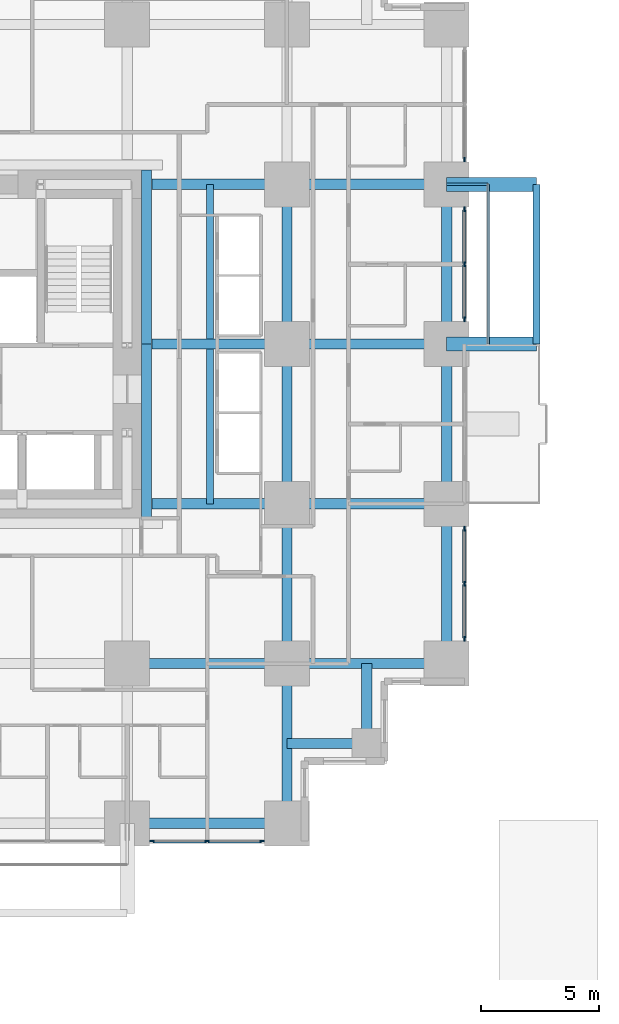
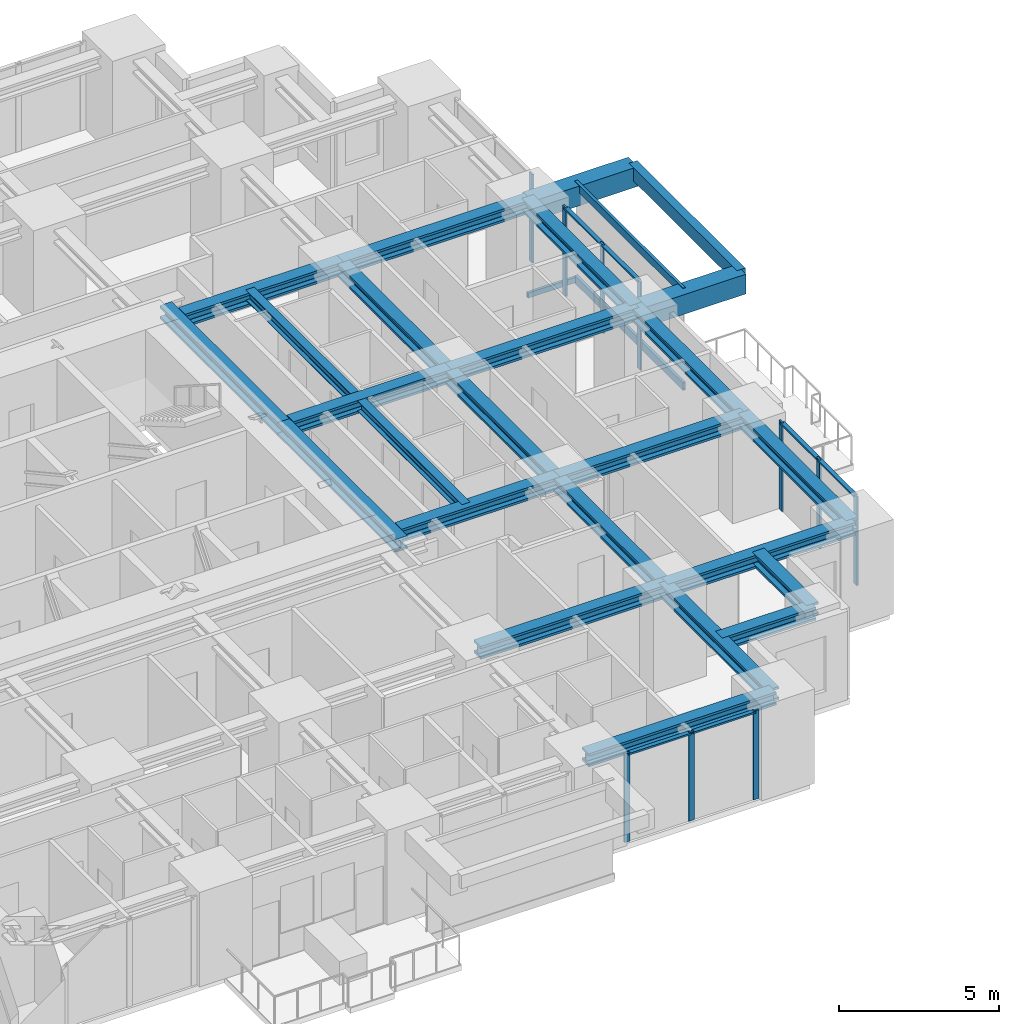
# One storey, part 4 of 14: 25 beams, 19 members, 4 elements without a shape of their own.
"""IFC4 building model written with IfcOpenShell, lengths in metres."""

import ifcopenshell
import ifcopenshell.guid

model = None  # the IFC model being written
_history = None  # IfcOwnerHistory: only IFC2X3 demands one
_inside = {}  # id of a spatial element -> (the spatial element, [elements in it])
_under = {}  # id of a project, library or spatial element -> (it, [spatial elements below it])
_declared = {}  # id of a project -> (the project, [libraries it declares])
_typed = {}  # id of a type object -> (the type object, [elements of that type])
_made_of = {}  # id of a material, layer set ... -> (it, [elements and type objects made of it])


def new_model(schema):
    """Start an empty IFC model of exactly this schema.

    Asked for "IFC4X3", IfcOpenShell would pick the latest addendum, in which some entities
    have other attributes; the version numbers below select the first issue.
    IFC2X3 requires an IfcOwnerHistory on every rooted entity: one is made here for all.
    """
    global model, _history
    if schema == "IFC4X3":
        model = ifcopenshell.file(schema_version=(4, 3, 0, 0))
    else:
        model = ifcopenshell.file(schema=schema)
    _inside.clear()
    _under.clear()
    _declared.clear()
    _typed.clear()
    _made_of.clear()
    _history = None
    if model.schema == "IFC2X3":
        org = make("IfcOrganization", Name="unknown")
        user = make(
            "IfcPersonAndOrganization",
            ThePerson=make("IfcPerson", FamilyName="unknown"),
            TheOrganization=org,
        )
        app = make(
            "IfcApplication",
            ApplicationDeveloper=org,
            Version="unknown",
            ApplicationFullName="unknown",
            ApplicationIdentifier="unknown",
        )
        _history = make(
            "IfcOwnerHistory",
            OwningUser=user,
            OwningApplication=app,
            ChangeAction="ADDED",
            CreationDate=0,
        )
    return model


def make(cls, **values):
    """One entity of the class cls with the attributes given. An attribute that is None is left unset."""
    return model.create_entity(
        cls, **{name: value for name, value in values.items() if value is not None}
    )


def rooted(cls, **values):
    """An entity with a GlobalId (a new one), such as an element, a storey or a relation."""
    return make(cls, GlobalId=ifcopenshell.guid.new(), OwnerHistory=_history, **values)


def si_unit(unit_type, name, prefix=None):
    """IfcSIUnit, for example si_unit("LENGTHUNIT", "METRE", prefix="MILLI")."""
    return make("IfcSIUnit", UnitType=unit_type, Prefix=prefix, Name=name)


def assignment(units):
    """IfcUnitAssignment: the units of a project."""
    return None if units is None else make("IfcUnitAssignment", Units=units)


def point(xyz):
    """IfcCartesianPoint."""
    return None if xyz is None else make("IfcCartesianPoint", Coordinates=xyz)


def direction(xyz):
    """IfcDirection."""
    return None if xyz is None else make("IfcDirection", DirectionRatios=xyz)


def frame(location, z_axis=None, x_axis=None):
    """IfcAxis2Placement3D, a coordinate frame: its origin and axes. An axis left out is left unset."""
    return make(
        "IfcAxis2Placement3D",
        Location=point(location),
        Axis=direction(z_axis),
        RefDirection=direction(x_axis),
    )


def frame_2d(location, x_axis=None):
    """IfcAxis2Placement2D, a coordinate frame in the plane: its origin and x axis."""
    return make(
        "IfcAxis2Placement2D", Location=point(location), RefDirection=direction(x_axis)
    )


def origin():
    """The frame at (0, 0, 0) with its axes left unset."""
    return frame((0.0, 0.0, 0.0))


def origin_2d():
    """The frame at (0, 0) in the plane with its x axis left unset."""
    return frame_2d((0.0, 0.0))


def place(relative_to, where):
    """IfcLocalPlacement: puts the frame where relative to a parent placement (None: the world)."""
    return make(
        "IfcLocalPlacement", PlacementRelTo=relative_to, RelativePlacement=where
    )


def context(
    kind, dimensions, precision=None, world=None, true_north=None, identifier=None
):
    """IfcGeometricRepresentationContext, for example the 3D "Model" context."""
    return make(
        "IfcGeometricRepresentationContext",
        ContextIdentifier=identifier,
        ContextType=kind,
        CoordinateSpaceDimension=dimensions,
        Precision=precision,
        WorldCoordinateSystem=world,
        TrueNorth=true_north,
    )


def subcontext(parent, identifier, kind, view, scale=None):
    """IfcGeometricRepresentationSubContext, for example "Body" below "Model"."""
    return make(
        "IfcGeometricRepresentationSubContext",
        ContextIdentifier=identifier,
        ContextType=kind,
        ParentContext=parent,
        TargetScale=scale,
        TargetView=view,
    )


def project(units=None, contexts=None):
    """IfcProject with its units and contexts."""
    return rooted(
        "IfcProject",
        Name="project",
        RepresentationContexts=contexts,
        UnitsInContext=assignment(units),
    )


def spatial(cls, under=None, at=None, **own):
    """A site, building, storey or space (cls), placed at a placement, below another one or the project."""
    s = rooted(cls, ObjectPlacement=at, **own)
    if under is not None:
        _under.setdefault(under.id(), (under, []))[1].append(s)
    return s


def profile(cls, at=None, kind="AREA", **sizes):
    """A parametric profile (cls). Its sizes go by their IFC names, for example OverallWidth=200.0."""
    return make(cls, ProfileType=kind, Position=at, **sizes)


def rectangle(**sizes):
    """IfcRectangleProfileDef."""
    return profile("IfcRectangleProfileDef", **sizes)


def hollow_rectangle(**sizes):
    """IfcRectangleHollowProfileDef."""
    return profile("IfcRectangleHollowProfileDef", **sizes)


def i_section(**sizes):
    """IfcIShapeProfileDef."""
    return profile("IfcIShapeProfileDef", **sizes)


def extrude(swept, where, along, depth):
    """IfcExtrudedAreaSolid: the profile swept, set in the frame where, extruded along a direction by depth."""
    return make(
        "IfcExtrudedAreaSolid",
        SweptArea=swept,
        Position=where,
        ExtrudedDirection=direction(along),
        Depth=depth,
    )


def shape(context_of_items, identifier, shape_type, items):
    """IfcShapeRepresentation: the items that make up one representation, for example the "Body"."""
    return make(
        "IfcShapeRepresentation",
        ContextOfItems=context_of_items,
        RepresentationIdentifier=identifier,
        RepresentationType=shape_type,
        Items=items,
    )


def material(Name=None, Category=None):
    """IfcMaterial."""
    return make("IfcMaterial", Name=Name, Category=Category)


def material_profile(
    of_material, cross_section, Name=None, Category=None, Priority=None
):
    """IfcMaterialProfile: a cross section and its material."""
    return make(
        "IfcMaterialProfile",
        Name=Name,
        Material=of_material,
        Profile=cross_section,
        Priority=Priority,
        Category=Category,
    )


def profile_set(profiles, Name=None, composite=None):
    """IfcMaterialProfileSet."""
    return make(
        "IfcMaterialProfileSet",
        Name=Name,
        MaterialProfiles=profiles,
        CompositeProfile=composite,
    )


def made_of(thing, what):
    """Note that an element or type object is made of a material, layer set ...; save() writes the relation."""
    if what is not None:
        _made_of.setdefault(what.id(), (what, []))[1].append(thing)
    return thing


def type_object(cls, material=None, **own):
    """A type object (cls), such as IfcWallType, which elements share."""
    return made_of(rooted(cls, **own), material)


def element(
    cls,
    number,
    at=None,
    inside=None,
    cuts=None,
    type_object=None,
    material=None,
    context=None,
    identifier="Body",
    shape_type=None,
    held_by="IfcProductDefinitionShape",
    body=None,
    shapes=None,
    **own,
):
    """One element of the class cls, such as IfcWall. Its Tag is "e" and its number.

    at: its placement. inside: the storey or other place that contains it. cuts: it is an
    opening in that element (IfcRelVoidsElement). A single representation is given by context,
    identifier, shape_type and body (its items); several are given by shapes. held_by: the class
    of the entity that holds the representations. save() writes the other relations.
    """
    e = rooted(cls, Tag="e%d" % number, ObjectPlacement=at, **own)
    if body is not None:
        shapes = [shape(context, identifier, shape_type, body)]
    if shapes is not None:
        e.Representation = make(held_by, Representations=shapes)
    if inside is not None:
        _inside.setdefault(inside.id(), (inside, []))[1].append(e)
    if cuts is not None:
        rooted(
            "IfcRelVoidsElement", RelatingBuildingElement=cuts, RelatedOpeningElement=e
        )
    if type_object is not None:
        _typed.setdefault(type_object.id(), (type_object, []))[1].append(e)
    return made_of(e, material)


def aggregate(whole, parts):
    """IfcRelAggregates: a whole, such as a stair, and the parts it consists of."""
    return rooted("IfcRelAggregates", RelatingObject=whole, RelatedObjects=parts)


def save(model, path):
    """Write the relations noted so far, then the file.

    IfcRelAggregates (storeys below a building ...), IfcRelContainedInSpatialStructure (elements
    in a storey), IfcRelDefinesByType, IfcRelAssociatesMaterial and IfcRelDeclares: one each for
    every whole, place, type object, material and project.
    """
    for whole, parts in _under.values():
        aggregate(whole, parts)
    for where, things in _inside.values():
        rooted(
            "IfcRelContainedInSpatialStructure",
            RelatedElements=things,
            RelatingStructure=where,
        )
    for kind, things in _typed.values():
        rooted("IfcRelDefinesByType", RelatedObjects=things, RelatingType=kind)
    for what, things in _made_of.values():
        rooted("IfcRelAssociatesMaterial", RelatedObjects=things, RelatingMaterial=what)
    for by, libraries in _declared.values():
        rooted("IfcRelDeclares", RelatingContext=by, RelatedDefinitions=libraries)
    model.write(path)


model = new_model("IFC4")

# Units and contexts
model_context = context("Model", 3, precision=1e-05, world=origin(), true_north=direction((0.0, 1.0)))
body_context = subcontext(model_context, "Body", "Model", "MODEL_VIEW")
ifc_project = project(units=[si_unit("LENGTHUNIT", "METRE"), si_unit("AREAUNIT", "SQUARE_METRE"), si_unit("VOLUMEUNIT", "CUBIC_METRE"), si_unit("PLANEANGLEUNIT", "RADIAN"), si_unit("MASSUNIT", "GRAM", prefix="KILO")], contexts=[model_context])

# Site, building, storey
site_placement = place(None, origin())
site = spatial("IfcSite", under=ifc_project, at=site_placement, CompositionType="ELEMENT")
building_placement = place(site_placement, origin())
building = spatial("IfcBuilding", under=site, at=building_placement, Name="Nyansa Garden Tower", CompositionType="ELEMENT")
storey_placement = place(building_placement, frame((0.0, 0.0, 18.0)))
storey = spatial("IfcBuildingStorey", under=building, at=storey_placement, Name="L04", CompositionType="ELEMENT", Elevation=18.0)

# Beams
ifc_material_1 = material(Name="Concrete C70/85", Category="concrete")
ifc_material_profile_1 = material_profile(ifc_material_1, rectangle(XDim=0.60009765625, YDim=0.75, at=origin_2d()), Name="RC 600x750")
ifc_profile_set_1 = profile_set([ifc_material_profile_1], Name="Concrete C70/85")
beam_type_1 = type_object("IfcBeamType", Name="Balcony cantilever beam CB1 RC 600x750", PredefinedType="BEAM", material=ifc_profile_set_1)
for number, where, z_axis, x_axis, name in (
    (1, (40.5, 20.25, 2.985107421875), (1.0, 0.0, 0.0), (0.0, 1.0, 0.0), "Balcony cantilever beam L05"),
    (2, (40.5, 27.0, 2.985107421875), (1.0, 0.0, 0.0), (0.0, 1.0, 0.0), "Balcony cantilever beam L05"),
):
    element("IfcBeam", number, at=place(storey_placement, frame(where, z_axis=z_axis, x_axis=x_axis)), inside=storey, type_object=beam_type_1, Name=name, PredefinedType="BEAM", context=body_context, shape_type="SweptSolid", body=[
        extrude(rectangle(XDim=0.60009765625, YDim=0.75, at=origin_2d()), origin(), (0.0, 0.0, 1.0), 3.800048828125),
    ])
ifc_material_2 = material(Name="Concrete C70/85", Category="concrete")
ifc_material_profile_2 = material_profile(ifc_material_2, rectangle(XDim=0.300048828125, YDim=0.5, at=origin_2d()), Name="RC 300x500")
ifc_profile_set_2 = profile_set([ifc_material_profile_2], Name="Concrete C70/85")
beam_type_2 = type_object("IfcBeamType", Name="Balcony edge beam BE1 RC 300x500", PredefinedType="BEAM", material=ifc_profile_set_2)
beam_1_placement = place(storey_placement, frame((44.300048828125, 20.25, 3.110107421875), z_axis=(0.0, 1.0, 0.0), x_axis=(-1.0, 0.0, 0.0)))
element("IfcBeam", 3, at=beam_1_placement, inside=storey, type_object=beam_type_2, Name="Balcony edge beam L05", PredefinedType="BEAM", context=body_context, shape_type="SweptSolid", body=[
    extrude(rectangle(XDim=0.300048828125, YDim=0.5, at=origin_2d()), origin(), (0.0, 0.0, 1.0), 6.75),
])

# Curtain wall, members
ifc_material_3 = material(Name="Black anodised aluminium, dark tinted double glazing", Category="aluminium")
curtain_wall_type = type_object("IfcCurtainWallType", Name="Inner skin curtain wall ISW-A", PredefinedType="USERDEFINED", material=ifc_material_3)
curtain_wall_1_placement = place(storey_placement, origin())
curtain_wall_1 = element("IfcCurtainWall", 4, at=curtain_wall_1_placement, inside=storey, type_object=curtain_wall_type, Name="Inner skin curtain wall L04 E", ObjectType="UNITISED CURTAIN WALL", PredefinedType="USERDEFINED")
ifc_material_4 = material(Name="Black anodised aluminium", Category="aluminium")
ifc_material_profile_3 = material_profile(ifc_material_4, rectangle(XDim=0.06494140625, YDim=0.199951171875, at=origin_2d()), Name="Mullion 200x65")
ifc_profile_set_3 = profile_set([ifc_material_profile_3], Name="Black anodised aluminium")
member_type_1 = type_object("IfcMemberType", Name="Mullion ISW-A 200x65", PredefinedType="MULLION", material=ifc_profile_set_3)
member_1_placement = place(storey_placement, frame((41.25, 7.800048828125, 0.0), z_axis=(0.0, 0.0, 1.0), x_axis=(-1.0, 0.0, 0.0)))
member_1 = element("IfcMember", 5, at=member_1_placement, type_object=member_type_1, Name="ISW-A mullion 1", PredefinedType="MULLION", context=body_context, shape_type="SweptSolid", body=[
    extrude(rectangle(XDim=0.06494140625, YDim=0.199951171875, at=origin_2d()), origin(), (0.0, 0.0, 1.0), 3.375),
])
member_2_placement = place(storey_placement, frame((41.25, 10.125, 0.0), z_axis=(0.0, 0.0, 1.0), x_axis=(-1.0, 0.0, 0.0)))
member_2 = element("IfcMember", 6, at=member_2_placement, type_object=member_type_1, Name="ISW-A mullion 2", PredefinedType="MULLION", context=body_context, shape_type="SweptSolid", body=[
    extrude(rectangle(XDim=0.06494140625, YDim=0.199951171875, at=origin_2d()), origin(), (0.0, 0.0, 1.0), 3.375),
])
member_3_placement = place(storey_placement, frame((41.25, 12.449951171875, 0.0), z_axis=(0.0, 0.0, 1.0), x_axis=(-1.0, 0.0, 0.0)))
member_3 = element("IfcMember", 7, at=member_3_placement, type_object=member_type_1, Name="ISW-A mullion 3", PredefinedType="MULLION", context=body_context, shape_type="SweptSolid", body=[
    extrude(rectangle(XDim=0.06494140625, YDim=0.199951171875, at=origin_2d()), origin(), (0.0, 0.0, 1.0), 3.375),
])

curtain_wall_2_placement = place(storey_placement, origin())
curtain_wall_2 = element("IfcCurtainWall", 8, at=curtain_wall_2_placement, inside=storey, type_object=curtain_wall_type, Name="Inner skin curtain wall L04 E", ObjectType="UNITISED CURTAIN WALL", PredefinedType="USERDEFINED")
member_4_placement = place(storey_placement, frame((41.25, 21.300048828125, 0.0), z_axis=(0.0, 0.0, 1.0), x_axis=(-1.0, 0.0, 0.0)))
member_4 = element("IfcMember", 9, at=member_4_placement, type_object=member_type_1, Name="ISW-A mullion 1", PredefinedType="MULLION", context=body_context, shape_type="SweptSolid", body=[
    extrude(rectangle(XDim=0.06494140625, YDim=0.199951171875, at=origin_2d()), origin(), (0.0, 0.0, 1.0), 3.375),
])
member_5_placement = place(storey_placement, frame((41.25, 23.625, 0.0), z_axis=(0.0, 0.0, 1.0), x_axis=(-1.0, 0.0, 0.0)))
member_5 = element("IfcMember", 10, at=member_5_placement, type_object=member_type_1, Name="ISW-A mullion 2", PredefinedType="MULLION", context=body_context, shape_type="SweptSolid", body=[
    extrude(rectangle(XDim=0.06494140625, YDim=0.199951171875, at=origin_2d()), origin(), (0.0, 0.0, 1.0), 3.375),
])
member_6_placement = place(storey_placement, frame((41.25, 25.949951171875, 0.0), z_axis=(0.0, 0.0, 1.0), x_axis=(-1.0, 0.0, 0.0)))
member_6 = element("IfcMember", 11, at=member_6_placement, type_object=member_type_1, Name="ISW-A mullion 3", PredefinedType="MULLION", context=body_context, shape_type="SweptSolid", body=[
    extrude(rectangle(XDim=0.06494140625, YDim=0.199951171875, at=origin_2d()), origin(), (0.0, 0.0, 1.0), 3.375),
])

# Curtain wall, member
curtain_wall_3_placement = place(storey_placement, origin())
curtain_wall_3 = element("IfcCurtainWall", 12, at=curtain_wall_3_placement, inside=storey, type_object=curtain_wall_type, Name="Inner skin curtain wall L04 E", ObjectType="UNITISED CURTAIN WALL", PredefinedType="USERDEFINED")
member_7_placement = place(storey_placement, frame((41.25, 28.050048828125, 0.0), z_axis=(0.0, 0.0, 1.0), x_axis=(-1.0, 0.0, 0.0)))
member_7 = element("IfcMember", 13, at=member_7_placement, type_object=member_type_1, Name="ISW-A mullion 1", PredefinedType="MULLION", context=body_context, shape_type="SweptSolid", body=[
    extrude(rectangle(XDim=0.06494140625, YDim=0.199951171875, at=origin_2d()), origin(), (0.0, 0.0, 1.0), 3.375),
])
aggregate(curtain_wall_3, [member_7])

# Curtain wall, members
curtain_wall_4_placement = place(storey_placement, origin())
curtain_wall_4 = element("IfcCurtainWall", 14, at=curtain_wall_4_placement, inside=storey, type_object=curtain_wall_type, Name="Inner skin curtain wall L04 S", ObjectType="UNITISED CURTAIN WALL", PredefinedType="USERDEFINED")
member_8_placement = place(storey_placement, frame((28.050048828125, -0.75, 0.0), z_axis=(0.0, 0.0, 1.0), x_axis=(0.0, 1.0, 0.0)))
member_8 = element("IfcMember", 15, at=member_8_placement, type_object=member_type_1, Name="ISW-A mullion 1", PredefinedType="MULLION", context=body_context, shape_type="SweptSolid", body=[
    extrude(rectangle(XDim=0.06494140625, YDim=0.199951171875, at=origin_2d()), origin(), (0.0, 0.0, 1.0), 3.375),
])
member_9_placement = place(storey_placement, frame((30.375, -0.75, 0.0), z_axis=(0.0, 0.0, 1.0), x_axis=(0.0, 1.0, 0.0)))
member_9 = element("IfcMember", 16, at=member_9_placement, type_object=member_type_1, Name="ISW-A mullion 2", PredefinedType="MULLION", context=body_context, shape_type="SweptSolid", body=[
    extrude(rectangle(XDim=0.06494140625, YDim=0.199951171875, at=origin_2d()), origin(), (0.0, 0.0, 1.0), 3.375),
])
member_10_placement = place(storey_placement, frame((32.699951171875, -0.75, 0.0), z_axis=(0.0, 0.0, 1.0), x_axis=(0.0, 1.0, 0.0)))
member_10 = element("IfcMember", 17, at=member_10_placement, type_object=member_type_1, Name="ISW-A mullion 3", PredefinedType="MULLION", context=body_context, shape_type="SweptSolid", body=[
    extrude(rectangle(XDim=0.06494140625, YDim=0.199951171875, at=origin_2d()), origin(), (0.0, 0.0, 1.0), 3.375),
])

# Members
ifc_material_5 = material(Name="Steel S355, black powder coated", Category="steel")
ifc_material_profile_4 = material_profile(ifc_material_5, hollow_rectangle(XDim=0.10009765625, YDim=0.199951171875, WallThickness=0.008056640625, at=origin_2d()), Name="RHS 200x100x8")
ifc_profile_set_4 = profile_set([ifc_material_profile_4], Name="Steel S355, black powder coated")
member_type_2 = type_object("IfcMemberType", Name="Outer skin bracket arm RHS 200x100x8", PredefinedType="USERDEFINED", material=ifc_profile_set_4)
member_11_placement = place(storey_placement, frame((40.5, 27.0, -0.375), z_axis=(1.0, 0.0, 0.0), x_axis=(0.0, 1.0, 0.0)))
element("IfcMember", 18, at=member_11_placement, inside=storey, type_object=member_type_2, Name="Outer skin bracket arm", ObjectType="OUTER SKIN BRACKET", PredefinedType="USERDEFINED", context=body_context, shape_type="SweptSolid", body=[
    extrude(hollow_rectangle(XDim=0.10009765625, YDim=0.199951171875, WallThickness=0.008056640625, at=origin_2d()), origin(), (0.0, 0.0, 1.0), 1.75),
])
ifc_material_6 = material(Name="Steel S355, black powder coated", Category="steel")
ifc_material_profile_5 = material_profile(ifc_material_6, hollow_rectangle(XDim=0.10009765625, YDim=0.300048828125, WallThickness=0.010009765625, at=origin_2d()), Name="RHS 300x100x10")
ifc_profile_set_5 = profile_set([ifc_material_profile_5], Name="Steel S355, black powder coated")
member_type_3 = type_object("IfcMemberType", Name="Outer skin rail RHS 300x100x10", PredefinedType="USERDEFINED", material=ifc_profile_set_5)
for number, where, z_axis, x_axis, name in (
    (19, (42.25, 20.25, -0.375), (0.0, 1.0, 0.0), (-1.0, 0.0, 0.0), "Outer skin rail L04"),
    (20, (42.25, 20.25, 3.22509765625), (0.0, 1.0, 0.0), (-1.0, 0.0, 0.0), "Outer skin rail L04 head"),
):
    element("IfcMember", number, at=place(storey_placement, frame(where, z_axis=z_axis, x_axis=x_axis)), inside=storey, type_object=member_type_3, Name=name, ObjectType="OUTER SKIN RAIL", PredefinedType="USERDEFINED", context=body_context, shape_type="SweptSolid", body=[
        extrude(hollow_rectangle(XDim=0.10009765625, YDim=0.300048828125, WallThickness=0.010009765625, at=origin_2d()), origin(), (0.0, 0.0, 1.0), 6.75),
    ])

# Beams
ifc_material_7 = material(Name="Steel S355", Category="steel")
ifc_material_profile_6 = material_profile(ifc_material_7, i_section(OverallWidth=0.431884765625, OverallDepth=0.498046875, WebThickness=0.0556640625, FlangeThickness=0.0888671875, FilletRadius=0.014892578125, at=origin_2d()), Name="HD 400x744")
ifc_profile_set_6 = profile_set([ifc_material_profile_6], Name="Steel S355")
beam_type_3 = type_object("IfcBeamType", Name="Steel beam SBA1-744 HD 400x744", PredefinedType="BEAM", material=ifc_profile_set_6)
beam_2_placement = place(storey_placement, frame((27.0, 6.75, 3.1259765625), z_axis=(1.0, 0.0, 0.0), x_axis=(0.0, 1.0, 0.0)))
element("IfcBeam", 21, at=beam_2_placement, inside=storey, type_object=beam_type_3, Name="Steel beam 6/E-7/E L05", PredefinedType="BEAM", context=body_context, shape_type="SweptSolid", body=[
    extrude(i_section(OverallWidth=0.431884765625, OverallDepth=0.498046875, WebThickness=0.0556640625, FlangeThickness=0.0888671875, FilletRadius=0.014892578125, at=origin_2d()), origin(), (0.0, 0.0, 1.0), 6.75),
])
for number, where, z_axis, x_axis, name in (
    (22, (28.050048828125, 13.5, 3.1259765625), (1.0, 0.0, 0.0), (0.0, 1.0, 0.0), "Steel beam 28.050/F-7/F L05"),
    (23, (28.050048828125, 20.25, 3.1259765625), (1.0, 0.0, 0.0), (0.0, 1.0, 0.0), "Steel beam 28.050/G-7/G L05"),
    (24, (28.050048828125, 27.0, 3.1259765625), (1.0, 0.0, 0.0), (0.0, 1.0, 0.0), "Steel beam 28.050/H-7/H L05"),
):
    element("IfcBeam", number, at=place(storey_placement, frame(where, z_axis=z_axis, x_axis=x_axis)), inside=storey, type_object=beam_type_3, Name=name, PredefinedType="BEAM", context=body_context, shape_type="SweptSolid", body=[
        extrude(i_section(OverallWidth=0.431884765625, OverallDepth=0.498046875, WebThickness=0.0556640625, FlangeThickness=0.0888671875, FilletRadius=0.014892578125, at=origin_2d()), origin(), (0.0, 0.0, 1.0), 5.699951171875),
    ])
for number, where, z_axis, x_axis, name in (
    (25, (33.75, 0.0, 3.1259765625), (0.0, 1.0, 0.0), (-1.0, 0.0, 0.0), "Steel beam 7/D-7/E L05"),
    (26, (33.75, 6.75, 3.1259765625), (0.0, 1.0, 0.0), (-1.0, 0.0, 0.0), "Steel beam 7/E-7/F L05"),
    (27, (33.75, 6.75, 3.1259765625), (1.0, 0.0, 0.0), (0.0, 1.0, 0.0), "Steel beam 7/E-8/E L05"),
    (28, (33.75, 13.5, 3.1259765625), (0.0, 1.0, 0.0), (-1.0, 0.0, 0.0), "Steel beam 7/F-7/G L05"),
    (29, (33.75, 13.5, 3.1259765625), (1.0, 0.0, 0.0), (0.0, 1.0, 0.0), "Steel beam 7/F-8/F L05"),
    (30, (33.75, 20.25, 3.1259765625), (0.0, 1.0, 0.0), (-1.0, 0.0, 0.0), "Steel beam 7/G-7/H L05"),
    (31, (33.75, 20.25, 3.1259765625), (1.0, 0.0, 0.0), (0.0, 1.0, 0.0), "Steel beam 7/G-8/G L05"),
    (32, (33.75, 27.0, 3.1259765625), (1.0, 0.0, 0.0), (0.0, 1.0, 0.0), "Steel beam 7/H-8/H L05"),
):
    element("IfcBeam", number, at=place(storey_placement, frame(where, z_axis=z_axis, x_axis=x_axis)), inside=storey, type_object=beam_type_3, Name=name, PredefinedType="BEAM", context=body_context, shape_type="SweptSolid", body=[
        extrude(i_section(OverallWidth=0.431884765625, OverallDepth=0.498046875, WebThickness=0.0556640625, FlangeThickness=0.0888671875, FilletRadius=0.014892578125, at=origin_2d()), origin(), (0.0, 0.0, 1.0), 6.75),
    ])
ifc_material_8 = material(Name="Steel S355", Category="steel")
ifc_material_profile_7 = material_profile(ifc_material_8, i_section(OverallWidth=0.431884765625, OverallDepth=0.498046875, WebThickness=0.0556640625, FlangeThickness=0.0888671875, FilletRadius=0.014892578125, at=origin_2d()), Name="HD 400x744")
ifc_profile_set_7 = profile_set([ifc_material_profile_7], Name="Steel S355")
beam_type_4 = type_object("IfcBeamType", Name="Steel beam SEBA-744 HD 400x744", PredefinedType="BEAM", material=ifc_profile_set_7)
for number, where, z_axis, x_axis, name in (
    (33, (27.0, 0.0, 3.1259765625), (1.0, 0.0, 0.0), (0.0, 1.0, 0.0), "Steel edge beam 6/D-7/D L05"),
    (34, (40.5, 6.75, 3.1259765625), (0.0, 1.0, 0.0), (-1.0, 0.0, 0.0), "Steel edge beam 8/E-8/F L05"),
    (35, (40.5, 13.5, 3.1259765625), (0.0, 1.0, 0.0), (-1.0, 0.0, 0.0), "Steel edge beam 8/F-8/G L05"),
    (36, (40.5, 20.25, 3.1259765625), (0.0, 1.0, 0.0), (-1.0, 0.0, 0.0), "Steel edge beam 8/G-8/H L05"),
):
    element("IfcBeam", number, at=place(storey_placement, frame(where, z_axis=z_axis, x_axis=x_axis)), inside=storey, type_object=beam_type_4, Name=name, PredefinedType="BEAM", context=body_context, shape_type="SweptSolid", body=[
        extrude(i_section(OverallWidth=0.431884765625, OverallDepth=0.498046875, WebThickness=0.0556640625, FlangeThickness=0.0888671875, FilletRadius=0.014892578125, at=origin_2d()), origin(), (0.0, 0.0, 1.0), 6.75),
    ])
ifc_material_9 = material(Name="Steel S355", Category="steel")
ifc_material_profile_8 = material_profile(ifc_material_9, i_section(OverallWidth=0.431884765625, OverallDepth=0.498046875, WebThickness=0.0556640625, FlangeThickness=0.0888671875, FilletRadius=0.014892578125, at=origin_2d()), Name="HD 400x744")
ifc_profile_set_8 = profile_set([ifc_material_profile_8], Name="Steel S355")
beam_type_5 = type_object("IfcBeamType", Name="Steel beam SLB1-744 HD 400x744", PredefinedType="BEAM", material=ifc_profile_set_8)
for number, where, z_axis, x_axis, name in (
    (37, (27.81591796875, 12.89990234375, 3.1259765625), (0.0, 1.0, 0.0), (-1.0, 0.0, 0.0), "Steel core ledger beam E.1 L05"),
    (38, (27.81591796875, 20.25, 3.1259765625), (0.0, 1.0, 0.0), (-1.0, 0.0, 0.0), "Steel core ledger beam E.2 L05"),
):
    element("IfcBeam", number, at=place(storey_placement, frame(where, z_axis=z_axis, x_axis=x_axis)), inside=storey, type_object=beam_type_5, Name=name, PredefinedType="BEAM", context=body_context, shape_type="SweptSolid", body=[
        extrude(i_section(OverallWidth=0.431884765625, OverallDepth=0.498046875, WebThickness=0.0556640625, FlangeThickness=0.0888671875, FilletRadius=0.014892578125, at=origin_2d()), origin(), (0.0, 0.0, 1.0), 7.35009765625),
    ])
ifc_material_10 = material(Name="Steel S355", Category="steel")
ifc_material_profile_9 = material_profile(ifc_material_10, i_section(OverallWidth=0.431884765625, OverallDepth=0.498046875, WebThickness=0.0556640625, FlangeThickness=0.0888671875, FilletRadius=0.014892578125, at=origin_2d()), Name="HD 400x744")
ifc_profile_set_9 = profile_set([ifc_material_profile_9], Name="Steel S355")
beam_type_6 = type_object("IfcBeamType", Name="Steel beam SSB1-744 HD 400x744", PredefinedType="BEAM", material=ifc_profile_set_9)
for number, where, z_axis, x_axis, name in (
    (39, (37.125, 3.375, 3.1259765625), (0.0, 1.0, 0.0), (-1.0, 0.0, 0.0), "Steel step beam 37.125/3.375 L05"),
    (40, (37.125, 3.375, 3.1259765625), (-1.0, 0.0, 0.0), (0.0, -1.0, 0.0), "Steel step beam 37.125/3.375 L05"),
):
    element("IfcBeam", number, at=place(storey_placement, frame(where, z_axis=z_axis, x_axis=x_axis)), inside=storey, type_object=beam_type_6, Name=name, PredefinedType="BEAM", context=body_context, shape_type="SweptSolid", body=[
        extrude(i_section(OverallWidth=0.431884765625, OverallDepth=0.498046875, WebThickness=0.0556640625, FlangeThickness=0.0888671875, FilletRadius=0.014892578125, at=origin_2d()), origin(), (0.0, 0.0, 1.0), 3.375),
    ])

# Member
ifc_material_11 = material(Name="Black anodised aluminium", Category="aluminium")
ifc_material_profile_10 = material_profile(ifc_material_11, rectangle(XDim=0.14990234375, YDim=0.06494140625, at=origin_2d()), Name="Transom 150x65")
ifc_profile_set_10 = profile_set([ifc_material_profile_10], Name="Black anodised aluminium")
member_type_4 = type_object("IfcMemberType", Name="Transom ISW-A 150x65", PredefinedType="USERDEFINED", material=ifc_profile_set_10)
member_12_placement = place(storey_placement, frame((41.25, 7.83251953125, 3.342529296875), z_axis=(0.0, 1.0, 0.0), x_axis=(-1.0, 0.0, 0.0)))
member_12 = element("IfcMember", 41, at=member_12_placement, type_object=member_type_4, Name="ISW-A transom 1", ObjectType="TRANSOM", PredefinedType="USERDEFINED", context=body_context, shape_type="SweptSolid", body=[
    extrude(rectangle(XDim=0.14990234375, YDim=0.06494140625, at=origin_2d()), origin(), (0.0, 0.0, 1.0), 2.260009765625),
])

member_13_placement = place(storey_placement, frame((41.25, 10.157470703125, 3.342529296875), z_axis=(0.0, 1.0, 0.0), x_axis=(-1.0, 0.0, 0.0)))
member_13 = element("IfcMember", 42, at=member_13_placement, type_object=member_type_4, Name="ISW-A transom 2", ObjectType="TRANSOM", PredefinedType="USERDEFINED", context=body_context, shape_type="SweptSolid", body=[
    extrude(rectangle(XDim=0.14990234375, YDim=0.06494140625, at=origin_2d()), origin(), (0.0, 0.0, 1.0), 2.260009765625),
])

aggregate(curtain_wall_1, [member_1, member_2, member_3, member_12, member_13])

member_14_placement = place(storey_placement, frame((41.25, 21.33251953125, 3.342529296875), z_axis=(0.0, 1.0, 0.0), x_axis=(-1.0, 0.0, 0.0)))
member_14 = element("IfcMember", 43, at=member_14_placement, type_object=member_type_4, Name="ISW-A transom 1", ObjectType="TRANSOM", PredefinedType="USERDEFINED", context=body_context, shape_type="SweptSolid", body=[
    extrude(rectangle(XDim=0.14990234375, YDim=0.06494140625, at=origin_2d()), origin(), (0.0, 0.0, 1.0), 2.260009765625),
])

member_15_placement = place(storey_placement, frame((41.25, 23.657470703125, 3.342529296875), z_axis=(0.0, 1.0, 0.0), x_axis=(-1.0, 0.0, 0.0)))
member_15 = element("IfcMember", 44, at=member_15_placement, type_object=member_type_4, Name="ISW-A transom 2", ObjectType="TRANSOM", PredefinedType="USERDEFINED", context=body_context, shape_type="SweptSolid", body=[
    extrude(rectangle(XDim=0.14990234375, YDim=0.06494140625, at=origin_2d()), origin(), (0.0, 0.0, 1.0), 2.260009765625),
])

aggregate(curtain_wall_2, [member_4, member_5, member_6, member_14, member_15])

member_16_placement = place(storey_placement, frame((28.08251953125, -0.75, 3.342529296875), z_axis=(1.0, 0.0, 0.0), x_axis=(0.0, 1.0, 0.0)))
member_16 = element("IfcMember", 45, at=member_16_placement, type_object=member_type_4, Name="ISW-A transom 1", ObjectType="TRANSOM", PredefinedType="USERDEFINED", context=body_context, shape_type="SweptSolid", body=[
    extrude(rectangle(XDim=0.14990234375, YDim=0.06494140625, at=origin_2d()), origin(), (0.0, 0.0, 1.0), 2.260009765625),
])

member_17_placement = place(storey_placement, frame((30.407470703125, -0.75, 3.342529296875), z_axis=(1.0, 0.0, 0.0), x_axis=(0.0, 1.0, 0.0)))
member_17 = element("IfcMember", 46, at=member_17_placement, type_object=member_type_4, Name="ISW-A transom 2", ObjectType="TRANSOM", PredefinedType="USERDEFINED", context=body_context, shape_type="SweptSolid", body=[
    extrude(rectangle(XDim=0.14990234375, YDim=0.06494140625, at=origin_2d()), origin(), (0.0, 0.0, 1.0), 2.260009765625),
])

aggregate(curtain_wall_4, [member_8, member_9, member_10, member_16, member_17])

# Beams
ifc_material_12 = material(Name="Steel S355", Category="steel")
ifc_material_profile_11 = material_profile(ifc_material_12, i_section(OverallWidth=0.300048828125, OverallDepth=0.39990234375, WebThickness=0.013427734375, FlangeThickness=0.02392578125, FilletRadius=0.027099609375, at=origin_2d()), Name="HE 400 B")
ifc_profile_set_11 = profile_set([ifc_material_profile_11], Name="Steel S355")
beam_type_7 = type_object("IfcBeamType", Name="Trimmer beam TR1 HE 400 B", PredefinedType="BEAM", material=ifc_profile_set_11)
for number, where, z_axis, x_axis, name in (
    (47, (30.5, 13.5, 3.175048828125), (0.0, 1.0, 0.0), (-1.0, 0.0, 0.0), "Trimmer beam 1 L05"),
    (48, (30.5, 20.466064453125, 3.175048828125), (0.0, 1.0, 0.0), (-1.0, 0.0, 0.0), "Trimmer beam 2 L05"),
):
    element("IfcBeam", number, at=place(storey_placement, frame(where, z_axis=z_axis, x_axis=x_axis)), inside=storey, type_object=beam_type_7, Name=name, PredefinedType="BEAM", context=body_context, shape_type="SweptSolid", body=[
        extrude(i_section(OverallWidth=0.300048828125, OverallDepth=0.39990234375, WebThickness=0.013427734375, FlangeThickness=0.02392578125, FilletRadius=0.027099609375, at=origin_2d()), origin(), (0.0, 0.0, 1.0), 6.533935546875),
    ])

save(model, "model.ifc")
